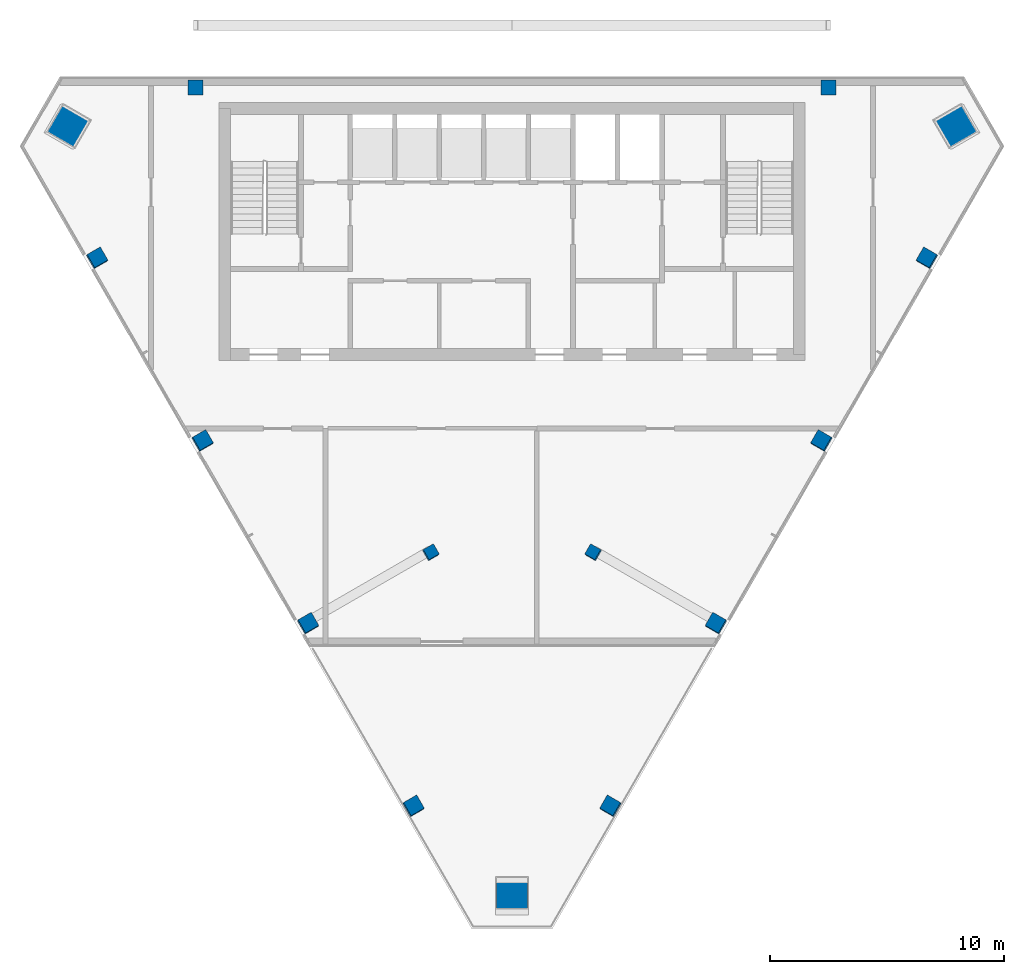
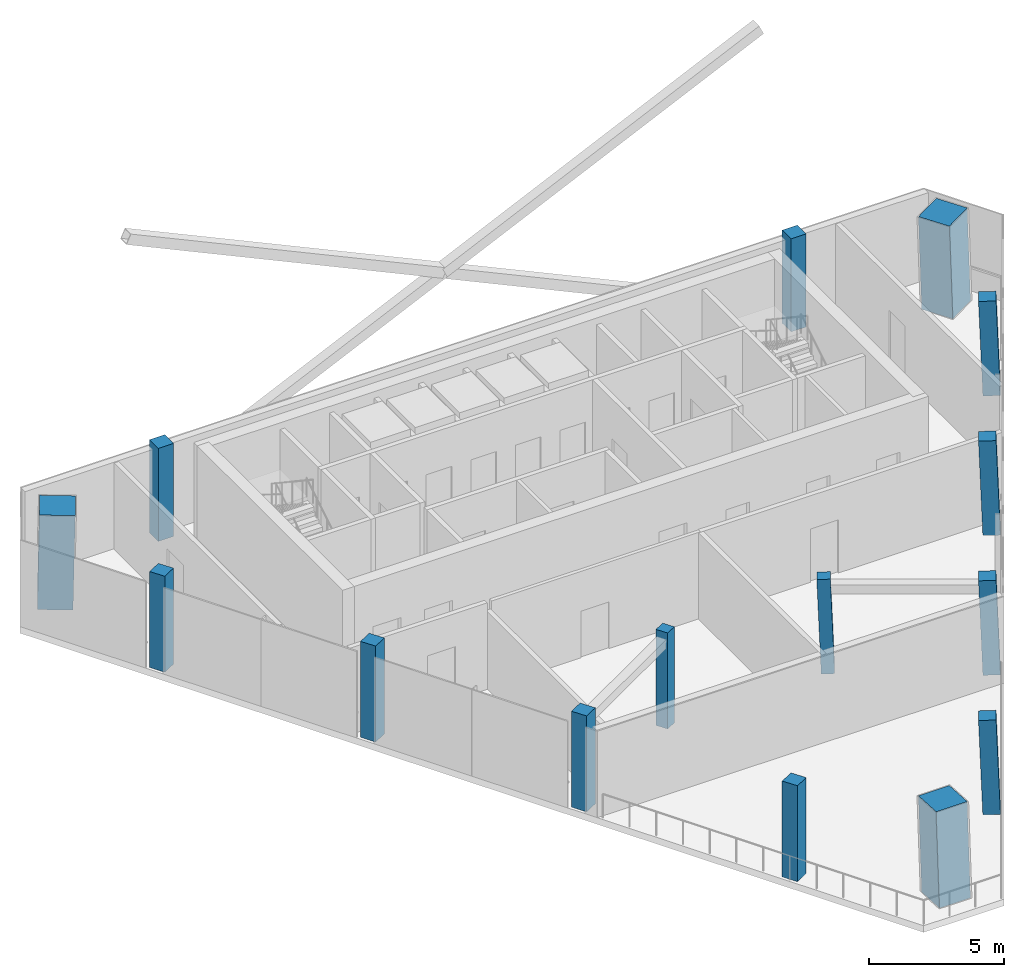
# One storey, part 1 of 8: 15 columns.
"""IFC4 building model written with IfcOpenShell, lengths in metres."""

from ifc_helpers import new_model, si_unit, direction, frame, origin, origin_2d, place, context, subcontext, project, spatial, rectangle, extrude, material, material_profile, profile_set, type_object, element, save


model = new_model("IFC4")

# Units and contexts
model_context = context("Model", 3, precision=1e-05, world=origin(), true_north=direction((0.0, 1.0)))
body_context = subcontext(model_context, "Body", "Model", "MODEL_VIEW")
ifc_project = project(units=[si_unit("LENGTHUNIT", "METRE"), si_unit("AREAUNIT", "SQUARE_METRE"), si_unit("VOLUMEUNIT", "CUBIC_METRE"), si_unit("PLANEANGLEUNIT", "RADIAN"), si_unit("MASSUNIT", "GRAM", prefix="KILO")], contexts=[model_context])

# Site, building, storey
site_placement = place(None, origin())
site = spatial("IfcSite", under=ifc_project, at=site_placement, CompositionType="ELEMENT")
building_placement = place(site_placement, origin())
building = spatial("IfcBuilding", under=site, at=building_placement, Name="Altiplano Prism Tower", CompositionType="ELEMENT")
storey_placement = place(building_placement, frame((0.0, 0.0, 334.60009765625)))
storey = spatial("IfcBuildingStorey", under=building, at=storey_placement, Name="L87", CompositionType="ELEMENT", Elevation=334.60009765625)

# Columns
ifc_material_1 = material(Name="Concrete C60/75", Category="concrete")
ifc_material_profile_1 = material_profile(ifc_material_1, rectangle(XDim=0.5, YDim=0.5, at=origin_2d()), Name="Inner column 500")
ifc_profile_set_1 = profile_set([ifc_material_profile_1], Name="Concrete C60/75")
column_type_1 = type_object("IfcColumnType", Name="Inner column 500", PredefinedType="COLUMN", material=ifc_profile_set_1)
for number, where, z_axis, x_axis, name in (
    (1, (81.52685546875, 84.690185546875, -0.01513671875), (0.022241539543, 0.03850167289, 0.99901097847), (-0.865719911984, -0.499045325233, 0.038507107883), "Inner column I13 L87"),
    (2, (88.47314453125, 84.690185546875, -0.01513671875), (-0.022241539543, 0.03850167289, 0.99901097847), (-0.500034346734, -0.865720153715, 0.022232128531), "Inner column I22 L87"),
):
    element("IfcColumn", number, at=place(storey_placement, frame(where, z_axis=z_axis, x_axis=x_axis)), inside=storey, type_object=column_type_1, Name=name, PredefinedType="COLUMN", context=body_context, shape_type="SweptSolid", body=[
        extrude(rectangle(XDim=0.5, YDim=0.5, at=origin_2d()), origin(), (0.0, 0.0, 1.0), 4.2041015625),
    ])
ifc_material_2 = material(Name="Concrete C70/85", Category="concrete")
ifc_material_profile_2 = material_profile(ifc_material_2, rectangle(XDim=1.320068359375, YDim=1.320068359375, at=origin_2d()), Name="Mega column infill 1400")
ifc_profile_set_2 = profile_set([ifc_material_profile_2], Name="Concrete C70/85")
column_type_2 = type_object("IfcColumnType", Name="Mega column infill 1400", PredefinedType="COLUMN", material=ifc_profile_set_2)
column_1_placement = place(storey_placement, frame((65.989501953125, 102.86767578125, 0.0), z_axis=(0.028412585289, 0.009238447977, 0.999553588396), x_axis=(-0.865380735886, 0.500716836341, 0.019970772707)))
element("IfcColumn", 3, at=column_1_placement, inside=storey, type_object=column_type_2, Name="Mega column M0 L87", PredefinedType="COLUMN", context=body_context, shape_type="SweptSolid", body=[
    extrude(rectangle(XDim=1.320068359375, YDim=1.320068359375, at=origin_2d()), origin(), (0.0, 0.0, 1.0), 4.201904296875),
])
column_2_placement = place(storey_placement, frame((85.0, 69.940673828125, 0.0), z_axis=(0.0, 0.058378439327, 0.998294524588), x_axis=(-1.0, 0.0, 0.0)))
element("IfcColumn", 4, at=column_2_placement, inside=storey, type_object=column_type_2, Name="Mega column M1 L87", PredefinedType="COLUMN", context=body_context, shape_type="SweptSolid", body=[
    extrude(rectangle(XDim=1.320068359375, YDim=1.320068359375, at=origin_2d()), origin(), (0.0, 0.0, 1.0), 4.20703125),
])
column_3_placement = place(storey_placement, frame((104.010498046875, 102.86767578125, 0.0), z_axis=(-0.028412585289, 0.009238447977, 0.999553588396), x_axis=(0.50030881159, -0.865561841167, 0.022221434727)))
element("IfcColumn", 5, at=column_3_placement, inside=storey, type_object=column_type_2, Name="Mega column M2 L87", PredefinedType="COLUMN", context=body_context, shape_type="SweptSolid", body=[
    extrude(rectangle(XDim=1.320068359375, YDim=1.320068359375, at=origin_2d()), origin(), (0.0, 0.0, 1.0), 4.201904296875),
])
ifc_material_profile_3 = material_profile(ifc_material_1, rectangle(XDim=0.64990234375, YDim=0.64990234375, at=origin_2d()), Name="Perimeter column 650")
ifc_profile_set_3 = profile_set([ifc_material_profile_3], Name="Concrete C60/75")
column_type_3 = type_object("IfcColumnType", Name="Perimeter column 650", PredefinedType="COLUMN", material=ifc_profile_set_3)
for number, where, z_axis, x_axis, name in (
    (6, (98.5, 104.550048828125, 0.0), (0.0, 0.0, 1.0), (1.0, 0.0, 0.0), "Perimeter column P01 L87"),
    (7, (71.5, 104.550048828125, 0.0), (0.0, 0.0, 1.0), (1.0, 0.0, 0.0), "Perimeter column P04 L87"),
):
    element("IfcColumn", number, at=place(storey_placement, frame(where, z_axis=z_axis, x_axis=x_axis)), inside=storey, type_object=column_type_3, Name=name, PredefinedType="COLUMN", context=body_context, shape_type="SweptSolid", body=[
        extrude(rectangle(XDim=0.64990234375, YDim=0.64990234375, at=origin_2d()), origin(), (0.0, 0.0, 1.0), 4.199951171875),
    ])
for number, where, z_axis, x_axis, name in (
    (8, (67.287353515625, 97.253662109375, -0.019775390625), (0.022183545815, 0.038443736465, 0.999014499105), (-0.865477943446, -0.499470111252, 0.03843874836), "Perimeter column P11 L87"),
    (9, (71.787353515625, 89.45947265625, -0.019775390625), (0.022183545815, 0.038443736465, 0.999014499105), (-0.865477943446, -0.499470111252, 0.03843874836), "Perimeter column P12 L87"),
    (10, (76.287353515625, 81.6650390625, -0.019775390625), (0.022183545815, 0.038443736465, 0.999014499105), (-0.865482564011, -0.499462120455, 0.038438543463), "Perimeter column P13 L87"),
    (11, (80.787353515625, 73.870849609375, -0.019775390625), (0.022183545815, 0.038443736465, 0.999014499105), (-0.865482564011, -0.499462120455, 0.038438543463), "Perimeter column P14 L87"),
    (12, (89.212646484375, 73.870849609375, -0.019775390625), (-0.022183545815, 0.038443736465, 0.999014499105), (-0.500447621323, -0.86548233336, 0.022192542774), "Perimeter column P21 L87"),
    (13, (93.712646484375, 81.6650390625, -0.019775390625), (-0.022183545815, 0.038443736465, 0.999014499105), (-0.500447621323, -0.86548233336, 0.022192542774), "Perimeter column P22 L87"),
    (14, (98.212646484375, 89.45947265625, -0.019775390625), (-0.022183545815, 0.038443736465, 0.999014499105), (-0.500455612122, -0.865477721893, 0.022192187878), "Perimeter column P23 L87"),
    (15, (102.712646484375, 97.253662109375, -0.019775390625), (-0.022183545815, 0.038443736465, 0.999014499105), (-0.500455612122, -0.865477721893, 0.022192187878), "Perimeter column P24 L87"),
):
    element("IfcColumn", number, at=place(storey_placement, frame(where, z_axis=z_axis, x_axis=x_axis)), inside=storey, type_object=column_type_3, Name=name, PredefinedType="COLUMN", context=body_context, shape_type="SweptSolid", body=[
        extrude(rectangle(XDim=0.64990234375, YDim=0.64990234375, at=origin_2d()), origin(), (0.0, 0.0, 1.0), 4.2041015625),
    ])

save(model, "model.ifc")
